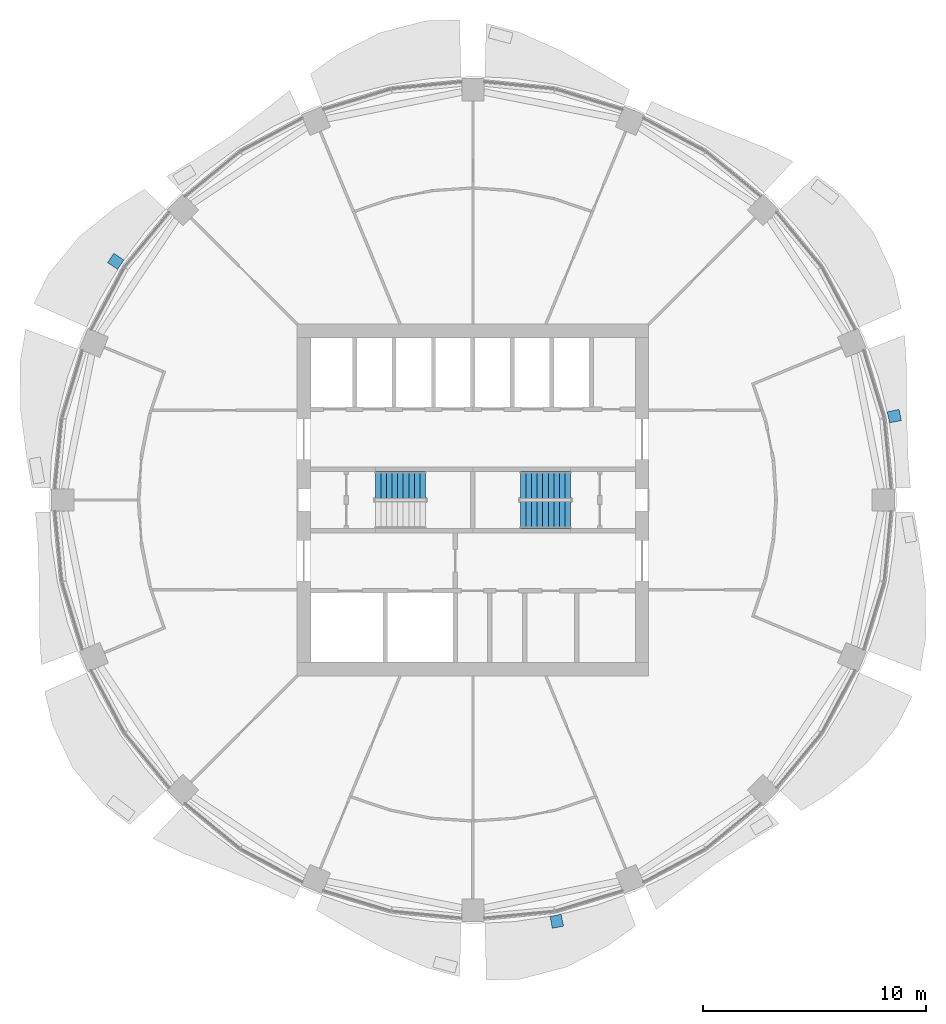
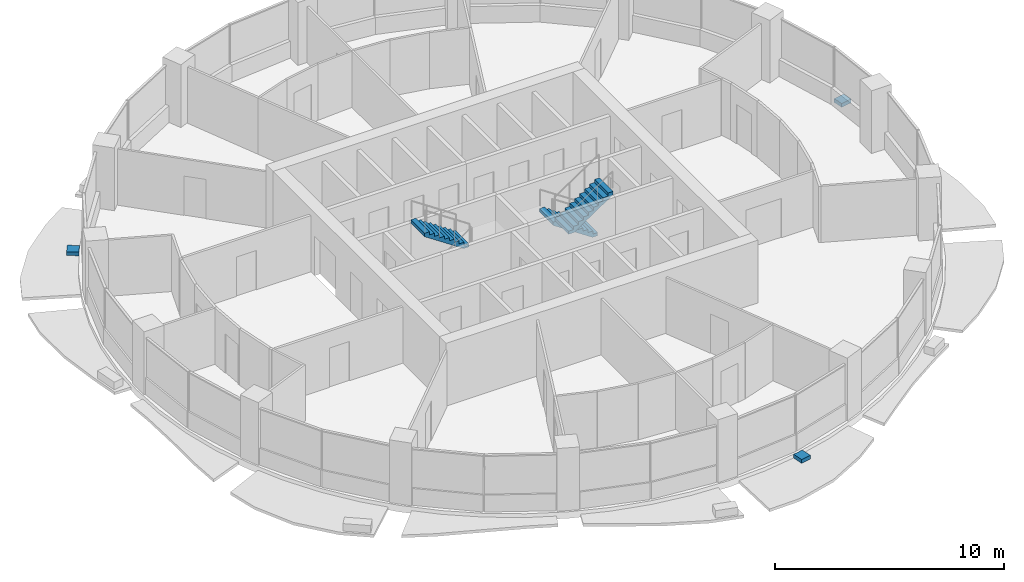
# One storey, part 11 of 15: 3 discrete accessories, 3 stair flights, 2 elements without a shape of their own.
"""IFC4 building model written with IfcOpenShell, lengths in metres."""

from ifc_helpers import new_model, si_unit, direction, frame, origin, place, context, subcontext, project, spatial, polyline, outline, extrude, material, type_object, element, aggregate, save


model = new_model("IFC4")

# Units and contexts
model_context = context("Model", 3, precision=1e-05, world=origin(), true_north=direction((0.0, 1.0)))
body_context = subcontext(model_context, "Body", "Model", "MODEL_VIEW")
ifc_project = project(units=[si_unit("LENGTHUNIT", "METRE"), si_unit("AREAUNIT", "SQUARE_METRE"), si_unit("VOLUMEUNIT", "CUBIC_METRE"), si_unit("PLANEANGLEUNIT", "RADIAN"), si_unit("MASSUNIT", "GRAM", prefix="KILO")], contexts=[model_context])

# Site, building, storey
site_placement = place(None, origin())
site = spatial("IfcSite", under=ifc_project, at=site_placement, CompositionType="ELEMENT")
building_placement = place(site_placement, origin())
building = spatial("IfcBuilding", under=site, at=building_placement, Name="Polderwave Tower", CompositionType="ELEMENT")
storey_placement = place(building_placement, frame((0.0, 0.0, 137.699951171875)))
storey = spatial("IfcBuildingStorey", under=building, at=storey_placement, Name="L36", CompositionType="ELEMENT", Elevation=137.699951171875)

# Stair, stair flight
ifc_material_1 = material(Name="Concrete C40/50", Category="concrete")
stair_type = type_object("IfcStairType", Name="Exit stair 1200 x 20 risers", PredefinedType="HALF_TURN_STAIR", material=ifc_material_1)
stair_1_placement = place(storey_placement, origin())
stair_1 = element("IfcStair", 1, at=stair_1_placement, inside=storey, type_object=stair_type, Name="L36 Exit stair A", PredefinedType="HALF_TURN_STAIR")
stair_flight_type = type_object("IfcStairFlightType", Name="Stair flight 1200", PredefinedType="STRAIGHT", material=ifc_material_1)
stair_flight_1_placement = place(storey_placement, frame((-2.1240234375, 0.675048828125, 1.675048828125), z_axis=(0.0, 0.0, 1.0), x_axis=(-1.0, 0.0, 0.0)))
stair_flight_1 = element("IfcStairFlight", 2, at=stair_flight_1_placement, type_object=stair_flight_type, Name="ST-A flight 2", NumberOfRisers=10, NumberOfTreads=9, PredefinedType="STRAIGHT", RiserHeight=0.1675, TreadLength=0.25, context=body_context, shape_type="SweptSolid", body=[
    extrude(outline(polyline([(0.0, 0.0), (0.0, 0.16748046875), (0.25, 0.16748046875), (0.25, 0.3349609375), (0.5, 0.3349609375), (0.5, 0.50244140625), (0.75, 0.50244140625), (0.75, 0.669921875), (1.0, 0.669921875), (1.0, 0.83740234375), (1.25, 0.83740234375), (1.25, 1.0048828125), (1.5, 1.0048828125), (1.5, 1.172607421875), (1.75, 1.172607421875), (1.75, 1.340087890625), (2.0, 1.340087890625), (2.0, 1.507568359375), (2.25, 1.507568359375), (2.25, 1.675048828125), (2.25, 1.3271484375), (0.269287109375, 0.0), (0.0, 0.0)])), frame((0.0, 0.60009765625, 0.0), z_axis=(0.0, -1.0, 0.0), x_axis=(1.0, 0.0, 0.0)), (0.0, 0.0, 1.0), 1.199951171875),
])
aggregate(stair_1, [stair_flight_1])

# Stair, stair flights
stair_2_placement = place(storey_placement, origin())
stair_2 = element("IfcStair", 3, at=stair_2_placement, inside=storey, type_object=stair_type, Name="L36 Exit stair B", PredefinedType="HALF_TURN_STAIR")
stair_flight_2_placement = place(storey_placement, frame((4.3740234375, 0.675048828125, 0.0), z_axis=(0.0, 0.0, 1.0), x_axis=(-1.0, 0.0, 0.0)))
stair_flight_2 = element("IfcStairFlight", 4, at=stair_flight_2_placement, type_object=stair_flight_type, Name="ST-B flight 1", NumberOfRisers=10, NumberOfTreads=9, PredefinedType="STRAIGHT", RiserHeight=0.1675, TreadLength=0.25, context=body_context, shape_type="SweptSolid", body=[
    extrude(outline(polyline([(0.0, 0.0), (0.0, 0.16748046875), (0.25, 0.16748046875), (0.25, 0.3349609375), (0.5, 0.3349609375), (0.5, 0.50244140625), (0.75, 0.50244140625), (0.75, 0.669921875), (1.0, 0.669921875), (1.0, 0.83740234375), (1.25, 0.83740234375), (1.25, 1.0048828125), (1.5, 1.0048828125), (1.5, 1.172607421875), (1.75, 1.172607421875), (1.75, 1.340087890625), (2.0, 1.340087890625), (2.0, 1.507568359375), (2.25, 1.507568359375), (2.25, 1.675048828125), (2.25, 1.3271484375), (0.269287109375, 0.0), (0.0, 0.0)])), frame((0.0, 0.60009765625, 0.0), z_axis=(0.0, -1.0, 0.0), x_axis=(1.0, 0.0, 0.0)), (0.0, 0.0, 1.0), 1.199951171875),
])
stair_flight_3_placement = place(storey_placement, frame((2.1240234375, -0.675048828125, 1.675048828125), z_axis=(0.0, 0.0, 1.0), x_axis=(1.0, 0.0, 0.0)))
stair_flight_3 = element("IfcStairFlight", 5, at=stair_flight_3_placement, type_object=stair_flight_type, Name="ST-B flight 2", NumberOfRisers=10, NumberOfTreads=9, PredefinedType="STRAIGHT", RiserHeight=0.1675, TreadLength=0.25, context=body_context, shape_type="SweptSolid", body=[
    extrude(outline(polyline([(0.0, 0.0), (0.0, 0.16748046875), (0.25, 0.16748046875), (0.25, 0.3349609375), (0.5, 0.3349609375), (0.5, 0.50244140625), (0.75, 0.50244140625), (0.75, 0.669921875), (1.0, 0.669921875), (1.0, 0.83740234375), (1.25, 0.83740234375), (1.25, 1.0048828125), (1.5, 1.0048828125), (1.5, 1.172607421875), (1.75, 1.172607421875), (1.75, 1.340087890625), (2.0, 1.340087890625), (2.0, 1.507568359375), (2.25, 1.507568359375), (2.25, 1.675048828125), (2.25, 1.3271484375), (0.269287109375, 0.0), (0.0, 0.0)])), frame((0.0, 0.60009765625, 0.0), z_axis=(0.0, -1.0, 0.0), x_axis=(1.0, 0.0, 0.0)), (0.0, 0.0, 1.0), 1.199951171875),
])
aggregate(stair_2, [stair_flight_2, stair_flight_3])

# Discrete accessories
ifc_material_2 = material(Name="Steel S355", Category="steel")
discrete_accessory_type = type_object("IfcDiscreteAccessoryType", Name="Band bracket pad", PredefinedType="BRACKET", material=ifc_material_2)
discrete_accessory_1_placement = place(storey_placement, frame((0.0, 0.0, -0.199951171875)))
element("IfcDiscreteAccessory", 6, at=discrete_accessory_1_placement, inside=storey, type_object=discrete_accessory_type, Name="Band bracket L36 1", PredefinedType="BRACKET", context=body_context, shape_type="SweptSolid", body=[
    extrude(outline(polyline([(18.652099609375, 3.45556640625), (18.615234375, 3.702880859375), (18.5546875, 3.9453125), (19.092529296875, 4.059814453125), (19.19287109375, 3.5556640625), (18.652099609375, 3.45556640625)])), origin(), (0.0, 0.0, 1.0), 0.199951171875),
])
discrete_accessory_2_placement = place(storey_placement, frame((0.0, 0.0, -0.199951171875)))
element("IfcDiscreteAccessory", 7, at=discrete_accessory_2_placement, inside=storey, type_object=discrete_accessory_type, Name="Band bracket L36 7", PredefinedType="BRACKET", context=body_context, shape_type="SweptSolid", body=[
    extrude(outline(polyline([(-15.63232421875, 10.74560546875), (-15.78125, 10.544677734375), (-15.909912109375, 10.330322265625), (-16.37109375, 10.6298828125), (-16.085693359375, 11.05712890625), (-15.63232421875, 10.74560546875)])), origin(), (0.0, 0.0, 1.0), 0.199951171875),
])
discrete_accessory_3_placement = place(storey_placement, frame((0.0, 0.0, -0.199951171875)))
element("IfcDiscreteAccessory", 8, at=discrete_accessory_3_placement, inside=storey, type_object=discrete_accessory_type, Name="Band bracket L36 13", PredefinedType="BRACKET", context=body_context, shape_type="SweptSolid", body=[
    extrude(outline(polyline([(3.45556640625, -18.652099609375), (3.702880859375, -18.615234375), (3.9453125, -18.5546875), (4.059814453125, -19.092529296875), (3.5556640625, -19.19287109375), (3.45556640625, -18.652099609375)])), origin(), (0.0, 0.0, 1.0), 0.199951171875),
])

save(model, "model.ifc")
